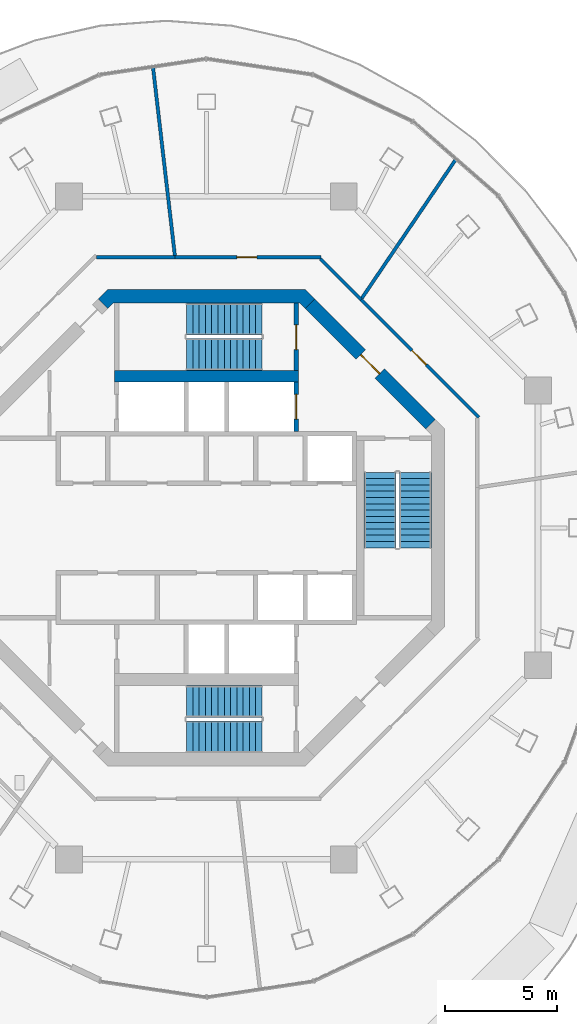
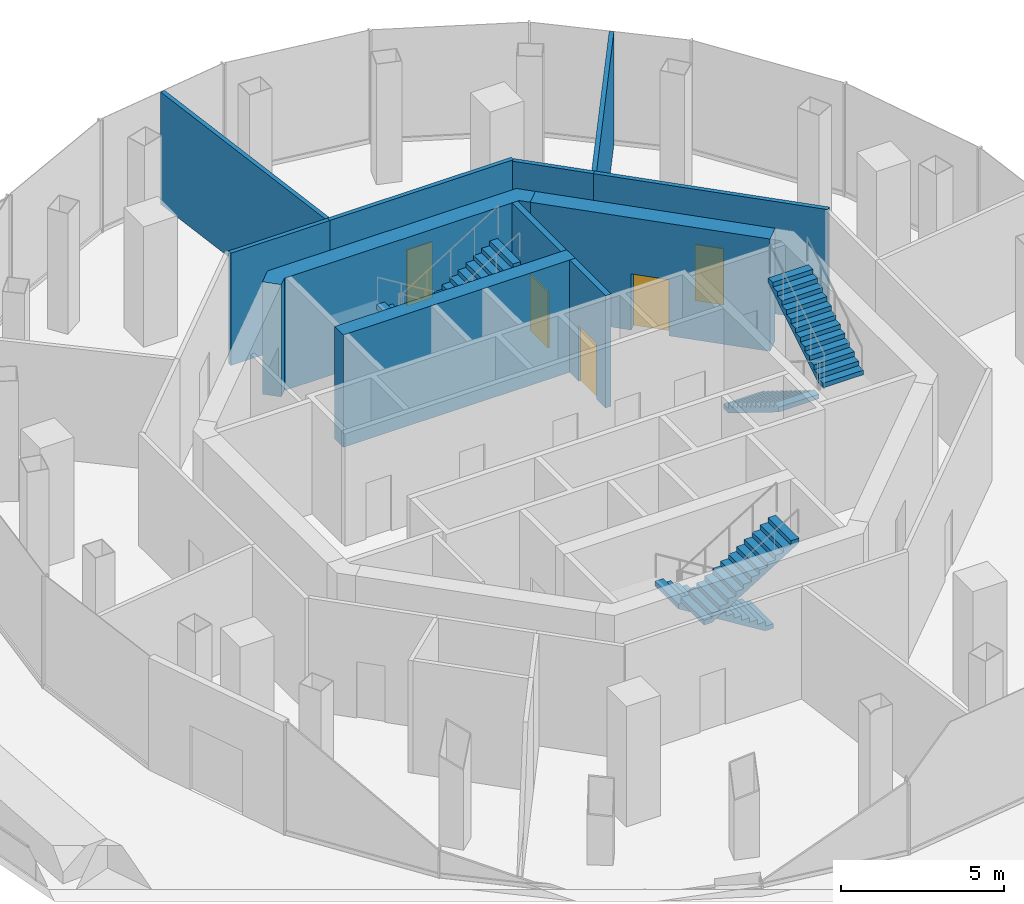
# One storey, part 9 of 12: 11 walls, 6 stair flights, 5 doors, 5 openings, 3 elements without a shape of their own.
"""IFC4 building model written with IfcOpenShell, lengths in metres."""

from ifc_helpers import new_model, si_unit, direction, frame, frame_2d, origin, place, context, subcontext, project, spatial, polyline, rectangle, outline, extrude, material, layer, layer_set, type_object, element, fill, aggregate, save


model = new_model("IFC4")

# Units and contexts
model_context = context("Model", 3, precision=1e-05, world=origin(), true_north=direction((0.0, 1.0)))
body_context = subcontext(model_context, "Body", "Model", "MODEL_VIEW")
ifc_project = project(units=[si_unit("LENGTHUNIT", "METRE"), si_unit("AREAUNIT", "SQUARE_METRE"), si_unit("VOLUMEUNIT", "CUBIC_METRE"), si_unit("PLANEANGLEUNIT", "RADIAN"), si_unit("MASSUNIT", "GRAM", prefix="KILO")], contexts=[model_context])

# Site, building, storey
site_placement = place(None, origin())
site = spatial("IfcSite", under=ifc_project, at=site_placement, CompositionType="ELEMENT")
building_placement = place(site_placement, origin())
building = spatial("IfcBuilding", under=site, at=building_placement, Name="Nagisa Residences", CompositionType="ELEMENT")
storey_placement = place(building_placement, frame((0.0, 0.0, 315.89990234375)))
storey = spatial("IfcBuildingStorey", under=building, at=storey_placement, Name="L78", CompositionType="ELEMENT", Elevation=315.89990234375)

# Wall, opening, door
ifc_material_1 = material(Name="Concrete C60", Category="concrete")
ifc_layer_1 = layer(ifc_material_1, 0.60009765625)
ifc_layer_set_1 = layer_set([ifc_layer_1], Name="Core shear wall 600")
wall_type_1 = type_object("IfcWallType", Name="Core shear wall 600", PredefinedType="SHEAR", material=ifc_layer_set_1)
wall_1_placement = place(storey_placement, frame((9.98828125, 4.613037109375, 0.0), z_axis=(0.0, 0.0, 1.0), x_axis=(-0.707106781187, 0.707106781187, 0.0)))
wall_1 = element("IfcWall", 1, at=wall_1_placement, inside=storey, type_object=wall_type_1, Name="wall:L78:core:flat1", PredefinedType="SHEAR", context=body_context, shape_type="SweptSolid", body=[
    extrude(rectangle(XDim=7.601806640625, YDim=0.60009765625, at=frame_2d((3.80078125, 0.0))), origin(), (0.0, 0.0, 1.0), 4.2001953125),
])
opening_1_placement = place(wall_1_placement, frame((3.200927734375, 0.0, 0.0)))
opening_1 = element("IfcOpeningElement", 2, at=opening_1_placement, cuts=wall_1, Name="Opening L78-C19", PredefinedType="OPENING", context=body_context, shape_type="SweptSolid", body=[
    extrude(rectangle(XDim=1.199951171875, YDim=2.10009765625, at=frame_2d((0.60009765625, 1.050048828125))), frame((0.0, 0.31005859375, 0.0), z_axis=(0.0, -1.0, 0.0), x_axis=(1.0, 0.0, 0.0)), (0.0, 0.0, 1.0), 0.6201171875),
])
ifc_material_2 = material(Name="Steel fire door", Category="steel")
door_type_1 = type_object("IfcDoorType", Name="Fire door EI60 1200x2100 single swing", OperationType="NOTDEFINED", PredefinedType="DOOR", material=ifc_material_2)
door_1_placement = place(opening_1_placement, origin())
door_1 = element("IfcDoor", 3, at=door_1_placement, inside=storey, type_object=door_type_1, Name="Firefighting lobby 1 door L78", OperationType="SINGLE_SWING_LEFT", OverallHeight=2.10009765625, OverallWidth=1.199951171875, PredefinedType="DOOR", context=body_context, shape_type="SweptSolid", body=[
    extrude(rectangle(XDim=1.199951171875, YDim=2.10009765625, at=frame_2d((0.60009765625, 1.050048828125))), frame((0.0, 0.02490234375, 0.0), z_axis=(0.0, -1.0, 0.0), x_axis=(1.0, 0.0, 0.0)), (0.0, 0.0, 1.0), 0.050048828125),
])
fill(opening_1, door_1)

# Wall
wall_2_placement = place(storey_placement, origin())
element("IfcWall", 4, at=wall_2_placement, inside=storey, type_object=wall_type_1, Name="wall:L78:core:flat2", PredefinedType="SHEAR", context=body_context, shape_type="SweptSolid", body=[
    extrude(outline(polyline([(-4.15234375, 10.024658203125), (-4.40087890625, 9.776123046875), (-4.8251953125, 10.200439453125), (-4.40087890625, 10.62451171875), (4.40087890625, 10.62451171875), (4.8251953125, 10.200439453125), (4.40087890625, 9.776123046875), (4.15234375, 10.024658203125), (-4.15234375, 10.024658203125)])), origin(), (0.0, 0.0, 1.0), 4.2001953125),
])

# Wall, opening, door
ifc_material_3 = material(Name="Concrete C60", Category="concrete")
ifc_layer_2 = layer(ifc_material_3, 0.199951171875)
ifc_layer_set_2 = layer_set([ifc_layer_2], Name="Lift shaft wall 200")
wall_type_2 = type_object("IfcWallType", Name="Lift shaft wall 200", PredefinedType="SOLIDWALL", material=ifc_layer_set_2)
wall_3_placement = place(storey_placement, frame((4.0, 4.300048828125, 0.0), z_axis=(0.0, 0.0, 1.0), x_axis=(0.0, 1.0, 0.0)))
wall_3 = element("IfcWall", 5, at=wall_3_placement, inside=storey, type_object=wall_type_2, Name="wall:L78:Nb3", PredefinedType="SOLIDWALL", context=body_context, shape_type="SweptSolid", body=[
    extrude(rectangle(XDim=2.199951171875, YDim=0.199951171875, at=frame_2d((1.10009765625, 0.0))), origin(), (0.0, 0.0, 1.0), 4.2001953125),
])
opening_2_placement = place(wall_3_placement, frame((0.550048828125, 0.0, 0.0)))
opening_2 = element("IfcOpeningElement", 6, at=opening_2_placement, cuts=wall_3, Name="Opening L78-C04", PredefinedType="OPENING", context=body_context, shape_type="SweptSolid", body=[
    extrude(rectangle(XDim=1.10009765625, YDim=2.10009765625, at=frame_2d((0.550048828125, 1.050048828125))), frame((0.0, 0.10986328125, 0.0), z_axis=(0.0, -1.0, 0.0), x_axis=(1.0, 0.0, 0.0)), (0.0, 0.0, 1.0), 0.219970703125),
])
ifc_material_4 = material(Name="Stainless steel", Category="steel")
door_type_2 = type_object("IfcDoorType", Name="Lift landing door 1100x2100", OperationType="DOUBLE_DOOR_SLIDING", PredefinedType="DOOR", material=ifc_material_4)
door_2_placement = place(opening_2_placement, origin())
door_2 = element("IfcDoor", 7, at=door_2_placement, inside=storey, type_object=door_type_2, Name="Landing door FL1 L78", OperationType="DOUBLE_DOOR_SLIDING", OverallHeight=2.10009765625, OverallWidth=1.10009765625, PredefinedType="DOOR", context=body_context, shape_type="SweptSolid", body=[
    extrude(rectangle(XDim=1.10009765625, YDim=2.10009765625, at=frame_2d((0.550048828125, 1.050048828125))), frame((0.0, 0.02490234375, 0.0), z_axis=(0.0, -1.0, 0.0), x_axis=(1.0, 0.0, 0.0)), (0.0, 0.0, 1.0), 0.050048828125),
])
fill(opening_2, door_2)

# Walls
ifc_material_5 = material(Name="Gypsum board on steel studs", Category="steel")
ifc_layer_3 = layer(ifc_material_5, 0.14990234375)
ifc_layer_set_3 = layer_set([ifc_layer_3], Name="Room partition EI60 150")
wall_type_3 = type_object("IfcWallType", Name="Room partition EI60 150", PredefinedType="PARTITIONING", material=ifc_layer_set_3)
wall_4_placement = place(storey_placement, frame((-4.89501953125, 12.074951171875, 0.0), z_axis=(0.0, 0.0, 1.0), x_axis=(1.0, 0.0, 0.0)))
element("IfcWall", 8, at=wall_4_placement, inside=storey, type_object=wall_type_3, Name="wall:L78:am013", PredefinedType="PARTITIONING", context=body_context, shape_type="SweptSolid", body=[
    extrude(rectangle(XDim=3.494140625, YDim=0.14990234375, at=frame_2d((1.7470703125, 0.0))), origin(), (0.0, 0.0, 1.0), 4.2001953125),
])
wall_5_placement = place(storey_placement, frame((-1.40966796875, 12.14990234375, 0.0), z_axis=(0.0, 0.0, 1.0), x_axis=(-0.115263493726, 0.993334952075, 0.0)))
element("IfcWall", 9, at=wall_5_placement, inside=storey, type_object=wall_type_3, Name="wall:L78:am014", PredefinedType="PARTITIONING", context=body_context, shape_type="SweptSolid", body=[
    extrude(rectangle(XDim=8.44921875, YDim=0.14990234375, at=frame_2d((4.224609375, 0.0))), origin(), (0.0, 0.0, 1.0), 4.2001953125),
])

# Wall, opening, door
wall_6_placement = place(storey_placement, frame((-1.40087890625, 12.074951171875, 0.0), z_axis=(0.0, 0.0, 1.0), x_axis=(1.0, 0.0, 0.0)))
wall_6 = element("IfcWall", 10, at=wall_6_placement, inside=storey, type_object=wall_type_3, Name="wall:L78:am015", PredefinedType="PARTITIONING", context=body_context, shape_type="SweptSolid", body=[
    extrude(rectangle(XDim=6.509033203125, YDim=0.14990234375, at=frame_2d((3.25439453125, 0.0))), origin(), (0.0, 0.0, 1.0), 4.2001953125),
])
opening_3_placement = place(wall_6_placement, frame((2.75146484375, 0.0, 0.0)))
opening_3 = element("IfcOpeningElement", 11, at=opening_3_placement, cuts=wall_6, Name="Opening L78-A02", PredefinedType="OPENING", context=body_context, shape_type="SweptSolid", body=[
    extrude(rectangle(XDim=0.89990234375, YDim=2.10009765625, at=frame_2d((0.449951171875, 1.050048828125))), frame((0.0, 0.0849609375, 0.0), z_axis=(0.0, -1.0, 0.0), x_axis=(1.0, 0.0, 0.0)), (0.0, 0.0, 1.0), 0.169921875),
])
ifc_material_6 = material(Name="Steel fire door", Category="steel")
door_type_3 = type_object("IfcDoorType", Name="Fire door EI30 900x2100 single swing", OperationType="NOTDEFINED", PredefinedType="DOOR", material=ifc_material_6)
door_3_placement = place(opening_3_placement, origin())
door_3 = element("IfcDoor", 12, at=door_3_placement, inside=storey, type_object=door_type_3, Name="Private lounge 2 door", OperationType="SINGLE_SWING_RIGHT", OverallHeight=2.10009765625, OverallWidth=0.89990234375, PredefinedType="DOOR", context=body_context, shape_type="SweptSolid", body=[
    extrude(rectangle(XDim=0.89990234375, YDim=2.10009765625, at=frame_2d((0.449951171875, 1.050048828125))), frame((0.0, 0.02490234375, 0.0), z_axis=(0.0, -1.0, 0.0), x_axis=(1.0, 0.0, 0.0)), (0.0, 0.0, 1.0), 0.050048828125),
])
fill(opening_3, door_3)

# Walls
wall_7_placement = place(storey_placement, frame((5.076904296875, 12.0, 0.0), z_axis=(0.0, 0.0, 1.0), x_axis=(0.706964061082, -0.707249472491, 0.0)))
element("IfcWall", 13, at=wall_7_placement, inside=storey, type_object=wall_type_3, Name="wall:L78:am019", PredefinedType="PARTITIONING", context=body_context, shape_type="SweptSolid", body=[
    extrude(rectangle(XDim=2.566162109375, YDim=0.14990234375, at=frame_2d((1.283203125, 0.0))), origin(), (0.0, 0.0, 1.0), 4.2001953125),
])
wall_8_placement = place(storey_placement, frame((6.933837890625, 10.248291015625, 0.0), z_axis=(0.0, 0.0, 1.0), x_axis=(0.56046251301, 0.828179794194, 0.0)))
element("IfcWall", 14, at=wall_8_placement, inside=storey, type_object=wall_type_3, Name="wall:L78:am020", PredefinedType="PARTITIONING", context=body_context, shape_type="SweptSolid", body=[
    extrude(rectangle(XDim=7.46240234375, YDim=0.14990234375, at=frame_2d((3.731201171875, 0.0))), origin(), (0.0, 0.0, 1.0), 4.2001953125),
])

# Wall, opening, door
wall_9_placement = place(storey_placement, frame((6.89111328125, 10.18505859375, 0.0), z_axis=(0.0, 0.0, 1.0), x_axis=(0.70715602432, -0.707057534623, 0.0)))
wall_9 = element("IfcWall", 15, at=wall_9_placement, inside=storey, type_object=wall_type_3, Name="wall:L78:am021", PredefinedType="PARTITIONING", context=body_context, shape_type="SweptSolid", body=[
    extrude(rectangle(XDim=7.4365234375, YDim=0.14990234375, at=frame_2d((3.71826171875, 0.0))), origin(), (0.0, 0.0, 1.0), 4.2001953125),
])
opening_4_placement = place(wall_9_placement, frame((3.21533203125, 0.0, 0.0)))
opening_4 = element("IfcOpeningElement", 16, at=opening_4_placement, cuts=wall_9, Name="Opening L78-A01", PredefinedType="OPENING", context=body_context, shape_type="SweptSolid", body=[
    extrude(rectangle(XDim=0.89990234375, YDim=2.10009765625, at=frame_2d((0.449951171875, 1.050048828125))), frame((0.0, 0.0849609375, 0.0), z_axis=(0.0, -1.0, 0.0), x_axis=(1.0, 0.0, 0.0)), (0.0, 0.0, 1.0), 0.169921875),
])
door_4_placement = place(opening_4_placement, origin())
door_4 = element("IfcDoor", 17, at=door_4_placement, inside=storey, type_object=door_type_3, Name="Private lounge 1 door", OperationType="SINGLE_SWING_LEFT", OverallHeight=2.10009765625, OverallWidth=0.89990234375, PredefinedType="DOOR", context=body_context, shape_type="SweptSolid", body=[
    extrude(rectangle(XDim=0.89990234375, YDim=2.10009765625, at=frame_2d((0.449951171875, 1.050048828125))), frame((0.0, 0.02490234375, 0.0), z_axis=(0.0, -1.0, 0.0), x_axis=(1.0, 0.0, 0.0)), (0.0, 0.0, 1.0), 0.050048828125),
])
fill(opening_4, door_4)

ifc_material_7 = material(Name="Concrete C60", Category="concrete")
ifc_layer_4 = layer(ifc_material_7, 0.199951171875)
ifc_layer_set_4 = layer_set([ifc_layer_4], Name="Stair enclosure wall 200")
wall_type_4 = type_object("IfcWallType", Name="Stair enclosure wall 200", PredefinedType="SOLIDWALL", material=ifc_layer_set_4)
wall_10_placement = place(storey_placement, frame((4.0, 7.024658203125, 0.0), z_axis=(0.0, 0.0, 1.0), x_axis=(0.0, 1.0, 0.0)))
wall_10 = element("IfcWall", 18, at=wall_10_placement, inside=storey, type_object=wall_type_4, Name="wall:L78:SN_e", PredefinedType="SOLIDWALL", context=body_context, shape_type="SweptSolid", body=[
    extrude(rectangle(XDim=3.0, YDim=0.199951171875, at=frame_2d((1.5, 0.0))), origin(), (0.0, 0.0, 1.0), 4.2001953125),
])
opening_5_placement = place(wall_10_placement, frame((0.92529296875, 0.0, 0.0)))
opening_5 = element("IfcOpeningElement", 19, at=opening_5_placement, cuts=wall_10, Name="Opening L78-C08", PredefinedType="OPENING", context=body_context, shape_type="SweptSolid", body=[
    extrude(rectangle(XDim=1.10009765625, YDim=2.10009765625, at=frame_2d((0.550048828125, 1.050048828125))), frame((0.0, 0.10986328125, 0.0), z_axis=(0.0, -1.0, 0.0), x_axis=(1.0, 0.0, 0.0)), (0.0, 0.0, 1.0), 0.219970703125),
])
ifc_material_8 = material(Name="Steel fire door", Category="steel")
door_type_4 = type_object("IfcDoorType", Name="Fire door EI90 1100x2100 single swing", OperationType="NOTDEFINED", PredefinedType="DOOR", material=ifc_material_8)
door_5_placement = place(opening_5_placement, origin())
door_5 = element("IfcDoor", 20, at=door_5_placement, inside=storey, type_object=door_type_4, Name="Stair door ST-N L78", OperationType="SINGLE_SWING_RIGHT", OverallHeight=2.10009765625, OverallWidth=1.10009765625, PredefinedType="DOOR", context=body_context, shape_type="SweptSolid", body=[
    extrude(rectangle(XDim=1.10009765625, YDim=2.10009765625, at=frame_2d((0.550048828125, 1.050048828125))), frame((0.0, 0.02490234375, 0.0), z_axis=(0.0, -1.0, 0.0), x_axis=(1.0, 0.0, 0.0)), (0.0, 0.0, 1.0), 0.050048828125),
])
fill(opening_5, door_5)

# Wall
wall_11_placement = place(storey_placement, origin())
element("IfcWall", 21, at=wall_11_placement, inside=storey, type_object=wall_type_4, Name="wall:L78:SN_s", PredefinedType="SOLIDWALL", context=body_context, shape_type="SweptSolid", body=[
    extrude(outline(polyline([(4.10009765625, 6.5), (-4.10009765625, 6.5), (-4.10009765625, 7.024658203125), (4.10009765625, 7.024658203125), (4.10009765625, 6.5)])), origin(), (0.0, 0.0, 1.0), 4.2001953125),
])

# Stair, stair flights
ifc_material_9 = material(Name="Concrete C60", Category="concrete")
stair_type = type_object("IfcStairType", Name="Exit stair", PredefinedType="HALF_TURN_STAIR", material=ifc_material_9)
stair_1_placement = place(storey_placement, origin())
stair_1 = element("IfcStair", 22, at=stair_1_placement, inside=storey, type_object=stair_type, Name="L78 Exit stair E", PredefinedType="HALF_TURN_STAIR")
ifc_material_10 = material(Name="Concrete C60", Category="concrete")
stair_flight_type = type_object("IfcStairFlightType", Name="Exit stair flight", PredefinedType="STRAIGHT", material=ifc_material_10)
stair_flight_1_placement = place(storey_placement, frame((7.737060546875, 2.47509765625, 0.0), z_axis=(0.0, 0.0, 1.0), x_axis=(0.0, -1.0, 0.0)))
stair_flight_1 = element("IfcStairFlight", 23, at=stair_flight_1_placement, type_object=stair_flight_type, Name="ST-E flight 1", NumberOfRisers=13, NumberOfTreads=12, PredefinedType="STRAIGHT", RiserHeight=0.173076923, TreadLength=0.28, context=body_context, shape_type="SweptSolid", body=[
    extrude(outline(polyline([(0.0, 0.0), (0.0, 0.173095703125), (0.280029296875, 0.173095703125), (0.280029296875, 0.34619140625), (0.56005859375, 0.34619140625), (0.56005859375, 0.519287109375), (0.840087890625, 0.519287109375), (0.840087890625, 0.6923828125), (1.1201171875, 0.6923828125), (1.1201171875, 0.865478515625), (1.39990234375, 0.865478515625), (1.39990234375, 1.03857421875), (1.679931640625, 1.03857421875), (1.679931640625, 1.21142578125), (1.9599609375, 1.21142578125), (1.9599609375, 1.384521484375), (2.239990234375, 1.384521484375), (2.239990234375, 1.5576171875), (2.52001953125, 1.5576171875), (2.52001953125, 1.730712890625), (2.800048828125, 1.730712890625), (2.800048828125, 1.90380859375), (3.080078125, 1.90380859375), (3.080078125, 2.076904296875), (3.360107421875, 2.076904296875), (3.360107421875, 2.25), (3.360107421875, 1.900634765625), (0.28515625, 0.0), (0.0, 0.0)])), frame((0.0, 0.71240234375, 0.0), z_axis=(0.0, -1.0, 0.0), x_axis=(1.0, 0.0, 0.0)), (0.0, 0.0, 1.0), 1.425048828125),
])
stair_flight_2_placement = place(storey_placement, frame((9.31201171875, -0.885009765625, 2.25), z_axis=(0.0, 0.0, 1.0), x_axis=(0.0, 1.0, 0.0)))
stair_flight_2 = element("IfcStairFlight", 24, at=stair_flight_2_placement, type_object=stair_flight_type, Name="ST-E flight 2", NumberOfRisers=13, NumberOfTreads=12, PredefinedType="STRAIGHT", RiserHeight=0.173076923, TreadLength=0.28, context=body_context, shape_type="SweptSolid", body=[
    extrude(outline(polyline([(0.0, 0.0), (0.0, 0.173095703125), (0.280029296875, 0.173095703125), (0.280029296875, 0.34619140625), (0.56005859375, 0.34619140625), (0.56005859375, 0.519287109375), (0.840087890625, 0.519287109375), (0.840087890625, 0.6923828125), (1.1201171875, 0.6923828125), (1.1201171875, 0.865478515625), (1.39990234375, 0.865478515625), (1.39990234375, 1.03857421875), (1.679931640625, 1.03857421875), (1.679931640625, 1.21142578125), (1.9599609375, 1.21142578125), (1.9599609375, 1.384521484375), (2.239990234375, 1.384521484375), (2.239990234375, 1.5576171875), (2.52001953125, 1.5576171875), (2.52001953125, 1.730712890625), (2.800048828125, 1.730712890625), (2.800048828125, 1.90380859375), (3.080078125, 1.90380859375), (3.080078125, 2.076904296875), (3.360107421875, 2.076904296875), (3.360107421875, 2.25), (3.360107421875, 1.900634765625), (0.28515625, 0.0), (0.0, 0.0)])), frame((0.0, 0.71240234375, 0.0), z_axis=(0.0, -1.0, 0.0), x_axis=(1.0, 0.0, 0.0)), (0.0, 0.0, 1.0), 1.425048828125),
])
aggregate(stair_1, [stair_flight_1, stair_flight_2])

stair_2_placement = place(storey_placement, origin())
stair_2 = element("IfcStair", 25, at=stair_2_placement, inside=storey, type_object=stair_type, Name="L78 Exit stair N", PredefinedType="HALF_TURN_STAIR")
stair_flight_3_placement = place(storey_placement, frame((2.47509765625, 9.31201171875, 0.0), z_axis=(0.0, 0.0, 1.0), x_axis=(-1.0, 0.0, 0.0)))
stair_flight_3 = element("IfcStairFlight", 26, at=stair_flight_3_placement, type_object=stair_flight_type, Name="ST-N flight 1", NumberOfRisers=13, NumberOfTreads=12, PredefinedType="STRAIGHT", RiserHeight=0.173076923, TreadLength=0.28, context=body_context, shape_type="SweptSolid", body=[
    extrude(outline(polyline([(0.0, 0.0), (0.0, 0.173095703125), (0.280029296875, 0.173095703125), (0.280029296875, 0.34619140625), (0.56005859375, 0.34619140625), (0.56005859375, 0.519287109375), (0.840087890625, 0.519287109375), (0.840087890625, 0.6923828125), (1.1201171875, 0.6923828125), (1.1201171875, 0.865478515625), (1.39990234375, 0.865478515625), (1.39990234375, 1.03857421875), (1.679931640625, 1.03857421875), (1.679931640625, 1.21142578125), (1.9599609375, 1.21142578125), (1.9599609375, 1.384521484375), (2.239990234375, 1.384521484375), (2.239990234375, 1.5576171875), (2.52001953125, 1.5576171875), (2.52001953125, 1.730712890625), (2.800048828125, 1.730712890625), (2.800048828125, 1.90380859375), (3.080078125, 1.90380859375), (3.080078125, 2.076904296875), (3.360107421875, 2.076904296875), (3.360107421875, 2.25), (3.360107421875, 1.900634765625), (0.28515625, 0.0), (0.0, 0.0)])), frame((0.0, 0.71240234375, 0.0), z_axis=(0.0, -1.0, 0.0), x_axis=(1.0, 0.0, 0.0)), (0.0, 0.0, 1.0), 1.425048828125),
])
stair_flight_4_placement = place(storey_placement, frame((-0.885009765625, 7.737060546875, 2.25), z_axis=(0.0, 0.0, 1.0), x_axis=(1.0, 0.0, 0.0)))
stair_flight_4 = element("IfcStairFlight", 27, at=stair_flight_4_placement, type_object=stair_flight_type, Name="ST-N flight 2", NumberOfRisers=13, NumberOfTreads=12, PredefinedType="STRAIGHT", RiserHeight=0.173076923, TreadLength=0.28, context=body_context, shape_type="SweptSolid", body=[
    extrude(outline(polyline([(0.0, 0.0), (0.0, 0.173095703125), (0.280029296875, 0.173095703125), (0.280029296875, 0.34619140625), (0.56005859375, 0.34619140625), (0.56005859375, 0.519287109375), (0.840087890625, 0.519287109375), (0.840087890625, 0.6923828125), (1.1201171875, 0.6923828125), (1.1201171875, 0.865478515625), (1.39990234375, 0.865478515625), (1.39990234375, 1.03857421875), (1.679931640625, 1.03857421875), (1.679931640625, 1.21142578125), (1.9599609375, 1.21142578125), (1.9599609375, 1.384521484375), (2.239990234375, 1.384521484375), (2.239990234375, 1.5576171875), (2.52001953125, 1.5576171875), (2.52001953125, 1.730712890625), (2.800048828125, 1.730712890625), (2.800048828125, 1.90380859375), (3.080078125, 1.90380859375), (3.080078125, 2.076904296875), (3.360107421875, 2.076904296875), (3.360107421875, 2.25), (3.360107421875, 1.900634765625), (0.28515625, 0.0), (0.0, 0.0)])), frame((0.0, 0.71240234375, 0.0), z_axis=(0.0, -1.0, 0.0), x_axis=(1.0, 0.0, 0.0)), (0.0, 0.0, 1.0), 1.425048828125),
])
aggregate(stair_2, [stair_flight_3, stair_flight_4])

stair_3_placement = place(storey_placement, origin())
stair_3 = element("IfcStair", 28, at=stair_3_placement, inside=storey, type_object=stair_type, Name="L78 Exit stair S", PredefinedType="HALF_TURN_STAIR")
stair_flight_5_placement = place(storey_placement, frame((2.47509765625, -7.737060546875, 0.0), z_axis=(0.0, 0.0, 1.0), x_axis=(-1.0, 0.0, 0.0)))
stair_flight_5 = element("IfcStairFlight", 29, at=stair_flight_5_placement, type_object=stair_flight_type, Name="ST-S flight 1", NumberOfRisers=13, NumberOfTreads=12, PredefinedType="STRAIGHT", RiserHeight=0.173076923, TreadLength=0.28, context=body_context, shape_type="SweptSolid", body=[
    extrude(outline(polyline([(0.0, 0.0), (0.0, 0.173095703125), (0.280029296875, 0.173095703125), (0.280029296875, 0.34619140625), (0.56005859375, 0.34619140625), (0.56005859375, 0.519287109375), (0.840087890625, 0.519287109375), (0.840087890625, 0.6923828125), (1.1201171875, 0.6923828125), (1.1201171875, 0.865478515625), (1.39990234375, 0.865478515625), (1.39990234375, 1.03857421875), (1.679931640625, 1.03857421875), (1.679931640625, 1.21142578125), (1.9599609375, 1.21142578125), (1.9599609375, 1.384521484375), (2.239990234375, 1.384521484375), (2.239990234375, 1.5576171875), (2.52001953125, 1.5576171875), (2.52001953125, 1.730712890625), (2.800048828125, 1.730712890625), (2.800048828125, 1.90380859375), (3.080078125, 1.90380859375), (3.080078125, 2.076904296875), (3.360107421875, 2.076904296875), (3.360107421875, 2.25), (3.360107421875, 1.900634765625), (0.28515625, 0.0), (0.0, 0.0)])), frame((0.0, 0.71240234375, 0.0), z_axis=(0.0, -1.0, 0.0), x_axis=(1.0, 0.0, 0.0)), (0.0, 0.0, 1.0), 1.425048828125),
])
stair_flight_6_placement = place(storey_placement, frame((-0.885009765625, -9.31201171875, 2.25), z_axis=(0.0, 0.0, 1.0), x_axis=(1.0, 0.0, 0.0)))
stair_flight_6 = element("IfcStairFlight", 30, at=stair_flight_6_placement, type_object=stair_flight_type, Name="ST-S flight 2", NumberOfRisers=13, NumberOfTreads=12, PredefinedType="STRAIGHT", RiserHeight=0.173076923, TreadLength=0.28, context=body_context, shape_type="SweptSolid", body=[
    extrude(outline(polyline([(0.0, 0.0), (0.0, 0.173095703125), (0.280029296875, 0.173095703125), (0.280029296875, 0.34619140625), (0.56005859375, 0.34619140625), (0.56005859375, 0.519287109375), (0.840087890625, 0.519287109375), (0.840087890625, 0.6923828125), (1.1201171875, 0.6923828125), (1.1201171875, 0.865478515625), (1.39990234375, 0.865478515625), (1.39990234375, 1.03857421875), (1.679931640625, 1.03857421875), (1.679931640625, 1.21142578125), (1.9599609375, 1.21142578125), (1.9599609375, 1.384521484375), (2.239990234375, 1.384521484375), (2.239990234375, 1.5576171875), (2.52001953125, 1.5576171875), (2.52001953125, 1.730712890625), (2.800048828125, 1.730712890625), (2.800048828125, 1.90380859375), (3.080078125, 1.90380859375), (3.080078125, 2.076904296875), (3.360107421875, 2.076904296875), (3.360107421875, 2.25), (3.360107421875, 1.900634765625), (0.28515625, 0.0), (0.0, 0.0)])), frame((0.0, 0.71240234375, 0.0), z_axis=(0.0, -1.0, 0.0), x_axis=(1.0, 0.0, 0.0)), (0.0, 0.0, 1.0), 1.425048828125),
])
aggregate(stair_3, [stair_flight_5, stair_flight_6])

save(model, "model.ifc")
